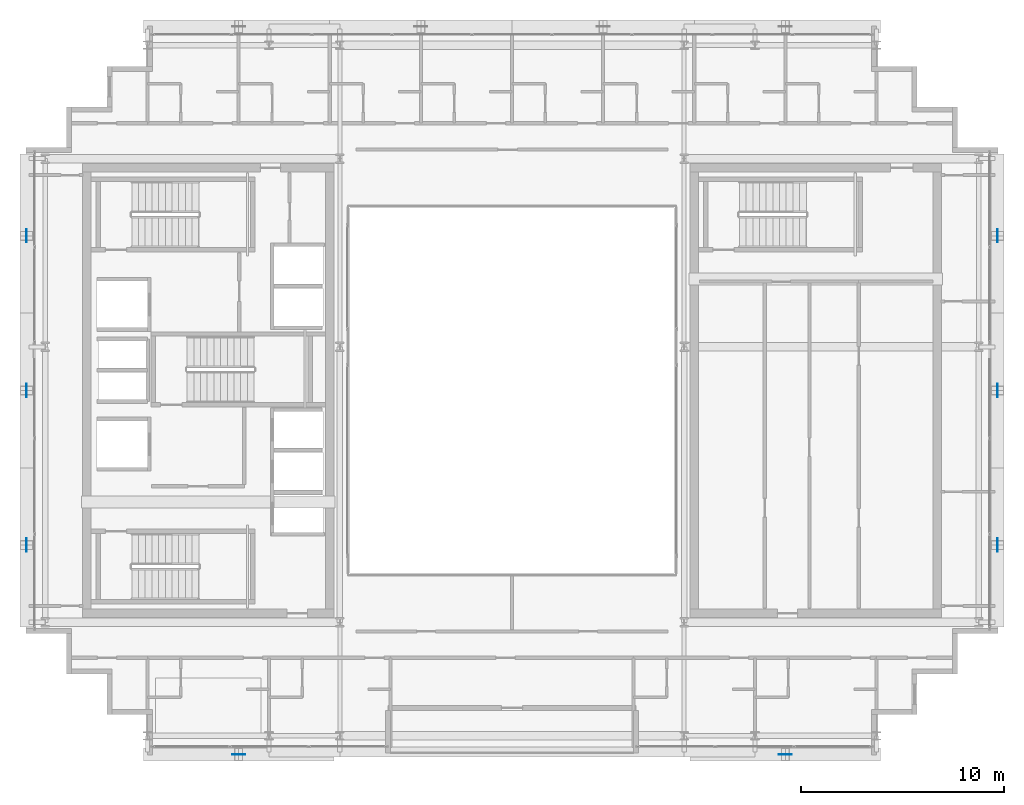
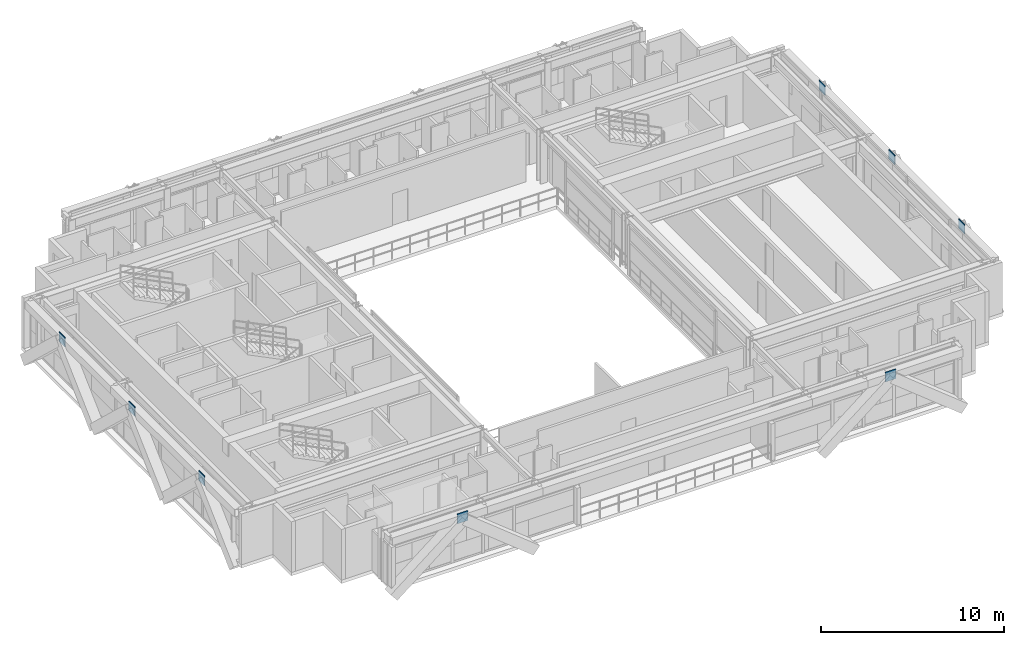
# One storey, part 20 of 29: 8 plates.
"""IFC4 building model written with IfcOpenShell, lengths in metres."""

from ifc_helpers import new_model, si_unit, direction, frame, origin, origin_2d, place, context, subcontext, project, spatial, rectangle, extrude, source, transform, mapped, material, layer, layer_set, type_object, element, save


model = new_model("IFC4")

# Units and contexts
model_context = context("Model", 3, precision=1e-05, world=origin(), true_north=direction((0.0, 1.0)))
body_context = subcontext(model_context, "Body", "Model", "MODEL_VIEW")
ifc_project = project(units=[si_unit("LENGTHUNIT", "METRE"), si_unit("AREAUNIT", "SQUARE_METRE"), si_unit("VOLUMEUNIT", "CUBIC_METRE"), si_unit("PLANEANGLEUNIT", "RADIAN"), si_unit("MASSUNIT", "GRAM", prefix="KILO")], contexts=[model_context])

# Site, building, storey
site_placement = place(None, origin())
site = spatial("IfcSite", under=ifc_project, at=site_placement, CompositionType="ELEMENT")
building_placement = place(site_placement, origin())
building = spatial("IfcBuilding", under=site, at=building_placement, Name="Ocotamira Hotel", CompositionType="ELEMENT")
storey_placement = place(building_placement, frame((0.0, 0.0, 236.39990234375)))
storey = spatial("IfcBuildingStorey", under=building, at=storey_placement, Name="L59", CompositionType="ELEMENT", Elevation=236.39990234375)

# Plates
ifc_material = material(Name="Pale-metal coated steel ASTM A572 Grade 50", Category="steel")
ifc_layer = layer(ifc_material, 0.0400390625)
ifc_layer_set = layer_set([ifc_layer], Name="Pale-metal coated steel ASTM A572 Grade 50")
plate_type = type_object("IfcPlateType", Name="PLT-GUSSET-40", PredefinedType="SHEET", material=ifc_layer_set)
shared_shape_1 = source(origin(), body_context, "Body", "SweptSolid", [
    extrude(rectangle(XDim=0.64990234375, YDim=0.0400390625, at=origin_2d()), origin(), (0.0, 0.0, 1.0), 0.64990234375),
])
for number, where, z_axis, x_axis, name in (
    (1, (18.5, 8.030029296875, 2.80517578125), (0.0, 0.0, 1.0), (1.0, 0.0, 0.0), "L59 Exoskeleton Diagrid S0.1 End Gusset B"),
    (2, (45.5, 8.030029296875, 2.80517578125), (0.0, 0.0, 1.0), (1.0, 0.0, 0.0), "L59 Exoskeleton Diagrid S3.1 End Gusset B"),
):
    element("IfcPlate", number, at=place(storey_placement, frame(where, z_axis=z_axis, x_axis=x_axis)), inside=storey, type_object=plate_type, Name=name, PredefinedType="SHEET", context=body_context, shape_type="MappedRepresentation", body=[
        mapped(shared_shape_1, transform((0.0, 0.0, 0.0), scale=1.0)),
    ])
shared_shape_2 = source(origin(), body_context, "Body", "SweptSolid", [
    extrude(rectangle(XDim=0.0400390625, YDim=0.64990234375, at=origin_2d()), origin(), (0.0, 0.0, 1.0), 0.64990234375),
])
for number, where, z_axis, x_axis, name in (
    (3, (8.030029296875, 18.36669921875, 2.80517578125), (0.0, 0.0, 1.0), (1.0, 0.0, 0.0), "L59 Exoskeleton Diagrid W0.1 End Gusset B"),
    (4, (8.030029296875, 26.0, 2.80517578125), (0.0, 0.0, 1.0), (1.0, 0.0, 0.0), "L59 Exoskeleton Diagrid W1.1 End Gusset B"),
    (5, (8.030029296875, 33.63330078125, 2.80517578125), (0.0, 0.0, 1.0), (1.0, 0.0, 0.0), "L59 Exoskeleton Diagrid W2.1 End Gusset B"),
    (6, (55.969970703125, 18.36669921875, 2.80517578125), (0.0, 0.0, 1.0), (1.0, 0.0, 0.0), "L59 Exoskeleton Diagrid E0.1 End Gusset B"),
    (7, (55.969970703125, 26.0, 2.80517578125), (0.0, 0.0, 1.0), (1.0, 0.0, 0.0), "L59 Exoskeleton Diagrid E1.1 End Gusset B"),
    (8, (55.969970703125, 33.63330078125, 2.80517578125), (0.0, 0.0, 1.0), (1.0, 0.0, 0.0), "L59 Exoskeleton Diagrid E2.1 End Gusset B"),
):
    element("IfcPlate", number, at=place(storey_placement, frame(where, z_axis=z_axis, x_axis=x_axis)), inside=storey, type_object=plate_type, Name=name, PredefinedType="SHEET", context=body_context, shape_type="MappedRepresentation", body=[
        mapped(shared_shape_2, transform((0.0, 0.0, 0.0), scale=1.0)),
    ])

save(model, "model.ifc")
